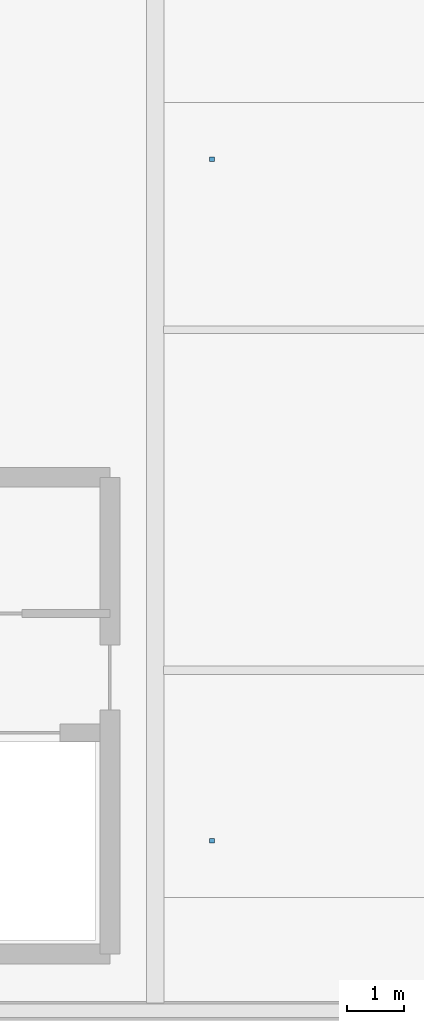
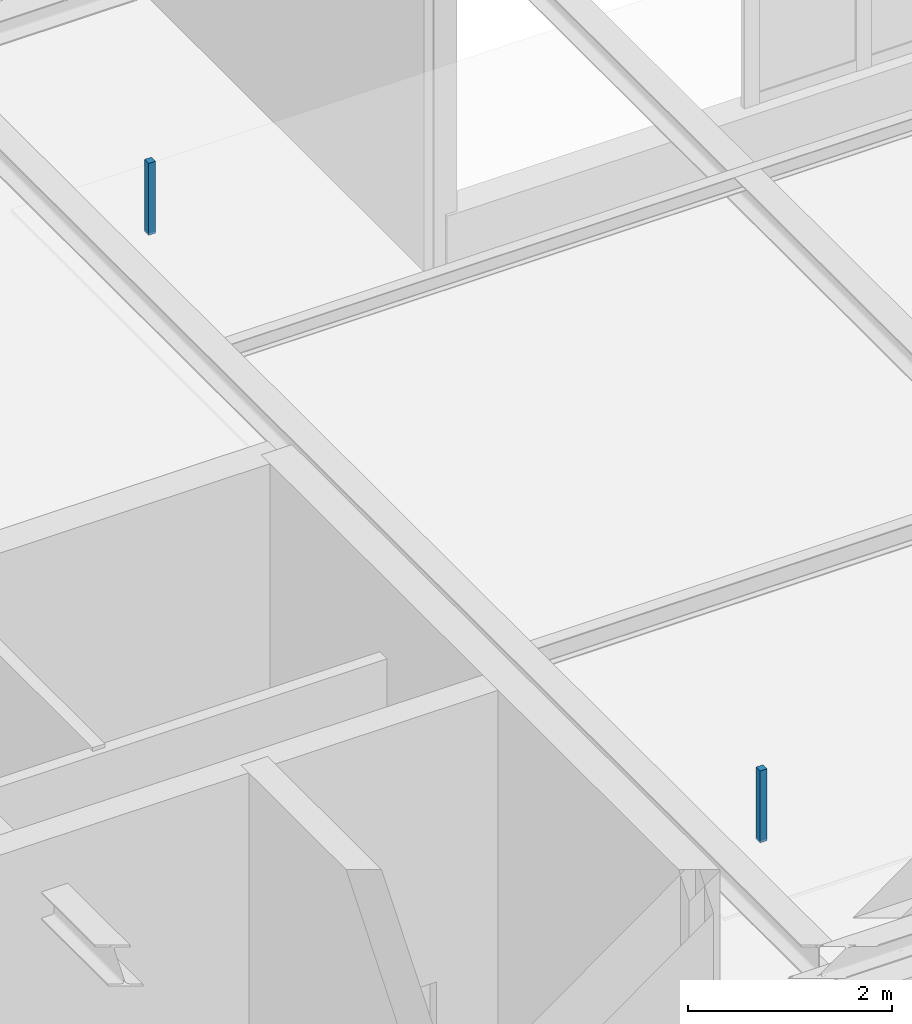
# One storey, part 90 of 97: 2 discrete accessories.
"""IFC4 building model written with IfcOpenShell, lengths in metres."""

from ifc_helpers import new_model, si_unit, derived_unit, direction, frame, origin, origin_2d, place, context, subcontext, project, spatial, rectangle, extrude, material, type_object, element, save


model = new_model("IFC4")

# Units and contexts
model_context = context("Model", 3, precision=1e-05, world=origin(), true_north=direction((0.0, 1.0)))
body_context = subcontext(model_context, "Body", "Model", "MODEL_VIEW")
ifc_project = project(units=[si_unit("LENGTHUNIT", "METRE"), si_unit("AREAUNIT", "SQUARE_METRE"), si_unit("VOLUMEUNIT", "CUBIC_METRE"), si_unit("PLANEANGLEUNIT", "RADIAN"), si_unit("MASSUNIT", "GRAM", prefix="KILO"), derived_unit("THERMALTRANSMITTANCEUNIT", [(si_unit("POWERUNIT", "WATT"), 1), (si_unit("LENGTHUNIT", "METRE"), -2), (si_unit("THERMODYNAMICTEMPERATUREUNIT", "KELVIN"), -1)])], contexts=[model_context])

# Site, building, storey
site_placement = place(None, origin())
site = spatial("IfcSite", under=ifc_project, at=site_placement, CompositionType="ELEMENT")
building_placement = place(site_placement, origin())
building = spatial("IfcBuilding", under=site, at=building_placement, Name="Almenara Railside Exhibition Hall", CompositionType="ELEMENT")
storey_placement = place(building_placement, frame((0.0, 0.0, 10.800048828125)))
storey = spatial("IfcBuildingStorey", under=building, at=storey_placement, Name="L02", CompositionType="ELEMENT", Elevation=10.800048828125)

# Discrete accessories
ifc_material = material(Name="Galvanised steel suspension bracket", Category="steel")
discrete_accessory_type = type_object("IfcDiscreteAccessoryType", Name="Ceiling Suspension Bracket Hanger", PredefinedType="BRACKET", material=ifc_material)
for number, where, z_axis, x_axis, name in (
    (1, (79.0, 39.0, 3.97998046875), (0.0, 0.0, 1.0), (1.0, 0.0, 0.0), "Ceiling suspension hanger 0025"),
    (2, (79.0, 51.0, 3.97998046875), (0.0, 0.0, 1.0), (1.0, 0.0, 0.0), "Ceiling suspension hanger 0026"),
):
    element("IfcDiscreteAccessory", number, at=place(storey_placement, frame(where, z_axis=z_axis, x_axis=x_axis)), inside=storey, type_object=discrete_accessory_type, Name=name, PredefinedType="BRACKET", context=body_context, shape_type="SweptSolid", body=[
        extrude(rectangle(XDim=0.080078125, YDim=0.080078125, at=origin_2d()), origin(), (0.0, 0.0, 1.0), 0.860107421875),
    ])

save(model, "model.ifc")
